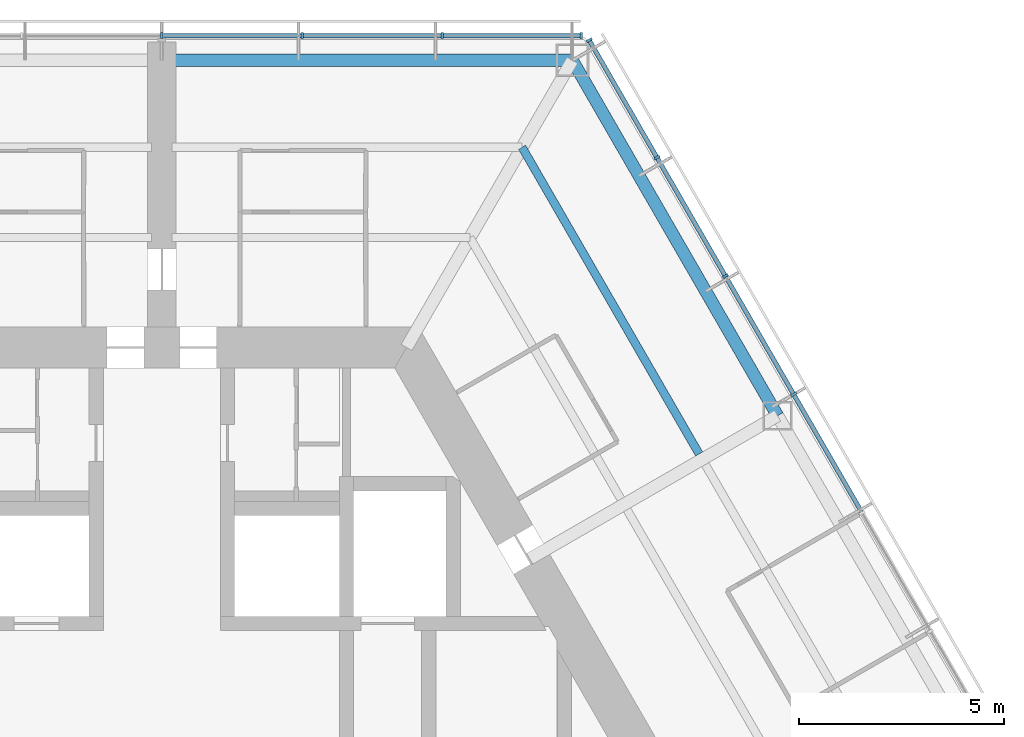
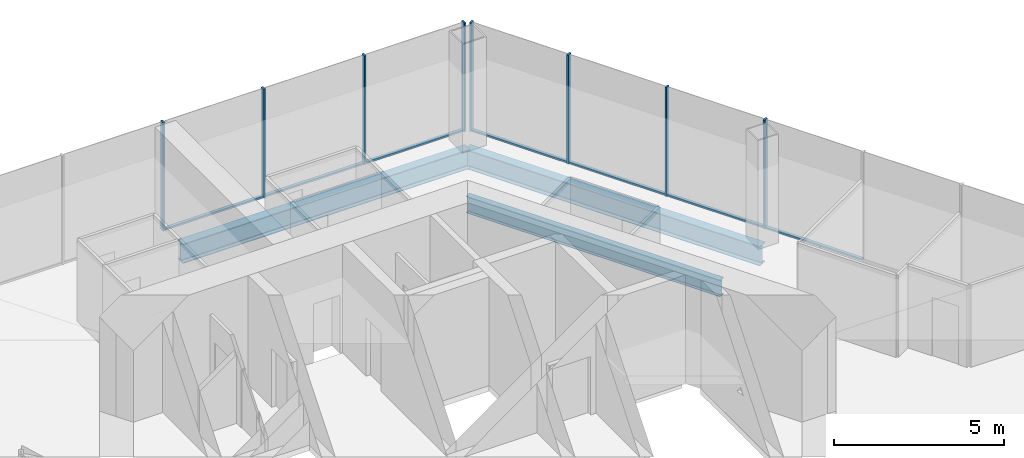
# One storey, part 8 of 18: 15 members, 3 beams, 2 elements without a shape of their own.
"""IFC4 building model written with IfcOpenShell, lengths in metres."""

from ifc_helpers import new_model, si_unit, direction, frame, origin, origin_2d, place, context, subcontext, project, spatial, rectangle, i_section, extrude, material, material_profile, profile_set, type_object, element, aggregate, save


model = new_model("IFC4")

# Units and contexts
model_context = context("Model", 3, precision=1e-05, world=origin(), true_north=direction((0.0, 1.0)))
body_context = subcontext(model_context, "Body", "Model", "MODEL_VIEW")
ifc_project = project(units=[si_unit("LENGTHUNIT", "METRE"), si_unit("AREAUNIT", "SQUARE_METRE"), si_unit("VOLUMEUNIT", "CUBIC_METRE"), si_unit("PLANEANGLEUNIT", "RADIAN"), si_unit("MASSUNIT", "GRAM", prefix="KILO")], contexts=[model_context])

# Site, building, storey
site_placement = place(None, origin())
site = spatial("IfcSite", under=ifc_project, at=site_placement, CompositionType="ELEMENT")
building_placement = place(site_placement, origin())
building = spatial("IfcBuilding", under=site, at=building_placement, Name="Kasaneha Research Tower", CompositionType="ELEMENT")
storey_placement = place(building_placement, frame((0.0, 0.0, 191.60009765625)))
storey = spatial("IfcBuildingStorey", under=building, at=storey_placement, Name="L48", CompositionType="ELEMENT", Elevation=191.60009765625)

# Beam
ifc_material_1 = material(Name="Steel SN490B", Category="steel")
ifc_material_profile_1 = material_profile(ifc_material_1, i_section(OverallWidth=0.199951171875, OverallDepth=0.60009765625, WebThickness=0.010986328125, FlangeThickness=0.01708984375, FilletRadius=0.012939453125, at=origin_2d()), Name="H-600x200x11x17")
ifc_profile_set_1 = profile_set([ifc_material_profile_1], Name="Steel SN490B")
beam_type_1 = type_object("IfcBeamType", Name="B1-3 secondary beam H-600x200x11x17", PredefinedType="JOIST", material=ifc_profile_set_1)
beam_1_placement = place(storey_placement, frame((8.775634765625, 15.199951171875, -0.4501953125), z_axis=(0.500017275495, -0.866015429543, 0.0), x_axis=(0.866015429543, 0.500017275495, 0.0)))
element("IfcBeam", 1, at=beam_1_placement, inside=storey, type_object=beam_type_1, Name="Secondary beam RS030R2 L48", PredefinedType="JOIST", context=body_context, shape_type="SweptSolid", body=[
    extrude(i_section(OverallWidth=0.199951171875, OverallDepth=0.60009765625, WebThickness=0.010986328125, FlangeThickness=0.01708984375, FilletRadius=0.012939453125, at=origin_2d()), origin(), (0.0, 0.0, 1.0), 8.625732421875),
])

# Curtain wall, members
ifc_material_2 = material(Name="Glass and aluminium", Category="aluminium")
curtain_wall_type = type_object("IfcCurtainWallType", Name="Mid-rise office curtain wall", PredefinedType="USERDEFINED", material=ifc_material_2)
curtain_wall_1_placement = place(storey_placement, origin())
curtain_wall_1 = element("IfcCurtainWall", 2, at=curtain_wall_1_placement, inside=storey, type_object=curtain_wall_type, Name="CW-O2 L48 run 06a", ObjectType="UNITISED CURTAIN WALL", PredefinedType="USERDEFINED")
ifc_material_3 = material(Name="Aluminium 6063-T6", Category="aluminium")
ifc_material_profile_2 = material_profile(ifc_material_3, rectangle(XDim=0.06005859375, YDim=0.14990234375, at=origin_2d()), Name="CW-O2 mullion 60x150")
ifc_profile_set_2 = profile_set([ifc_material_profile_2], Name="Aluminium 6063-T6")
member_type_1 = type_object("IfcMemberType", Name="CW-O2 mullion", PredefinedType="MULLION", material=ifc_profile_set_2)
member_1_placement = place(storey_placement, frame((15.392822265625, 9.179931640625, 0.0), z_axis=(0.0, 0.0, 1.0), x_axis=(-0.499999979232, 0.866025415775, 0.0)))
member_1 = element("IfcMember", 3, at=member_1_placement, type_object=member_type_1, Name="CW-O2 mullion 4", PredefinedType="MULLION", context=body_context, shape_type="SweptSolid", body=[
    extrude(rectangle(XDim=0.06005859375, YDim=0.14990234375, at=origin_2d()), origin(), (0.0, 0.0, 1.0), 3.89990234375),
])
member_2_placement = place(storey_placement, frame((13.727294921875, 12.064453125, 0.0), z_axis=(0.0, 0.0, 1.0), x_axis=(-0.499999979232, 0.866025415775, 0.0)))
member_2 = element("IfcMember", 4, at=member_2_placement, type_object=member_type_1, Name="CW-O2 mullion 5", PredefinedType="MULLION", context=body_context, shape_type="SweptSolid", body=[
    extrude(rectangle(XDim=0.06005859375, YDim=0.14990234375, at=origin_2d()), origin(), (0.0, 0.0, 1.0), 3.89990234375),
])
member_3_placement = place(storey_placement, frame((12.061767578125, 14.94921875, 0.0), z_axis=(0.0, 0.0, 1.0), x_axis=(-0.499999979232, 0.866025415775, 0.0)))
member_3 = element("IfcMember", 5, at=member_3_placement, type_object=member_type_1, Name="CW-O2 mullion 6", PredefinedType="MULLION", context=body_context, shape_type="SweptSolid", body=[
    extrude(rectangle(XDim=0.06005859375, YDim=0.14990234375, at=origin_2d()), origin(), (0.0, 0.0, 1.0), 3.89990234375),
])
member_4_placement = place(storey_placement, frame((10.411376953125, 17.807861328125, 0.0), z_axis=(0.0, 0.0, 1.0), x_axis=(-0.499999979232, 0.866025415775, 0.0)))
member_4 = element("IfcMember", 6, at=member_4_placement, type_object=member_type_1, Name="CW-O2 mullion 7", PredefinedType="MULLION", context=body_context, shape_type="SweptSolid", body=[
    extrude(rectangle(XDim=0.06005859375, YDim=0.14990234375, at=origin_2d()), origin(), (0.0, 0.0, 1.0), 3.89990234375),
])

curtain_wall_2_placement = place(storey_placement, origin())
curtain_wall_2 = element("IfcCurtainWall", 7, at=curtain_wall_2_placement, inside=storey, type_object=curtain_wall_type, Name="CW-O2 L48 run 07a", ObjectType="UNITISED CURTAIN WALL", PredefinedType="USERDEFINED")
member_5_placement = place(storey_placement, frame((10.21630859375, 17.92041015625, 0.0), z_axis=(0.0, 0.0, 1.0), x_axis=(-1.0, 0.0, 0.0)))
member_5 = element("IfcMember", 8, at=member_5_placement, type_object=member_type_1, Name="CW-O2 mullion 1", PredefinedType="MULLION", context=body_context, shape_type="SweptSolid", body=[
    extrude(rectangle(XDim=0.06005859375, YDim=0.14990234375, at=origin_2d()), origin(), (0.0, 0.0, 1.0), 3.89990234375),
])
member_6_placement = place(storey_placement, frame((6.8310546875, 17.92041015625, 0.0), z_axis=(0.0, 0.0, 1.0), x_axis=(-1.0, 0.0, 0.0)))
member_6 = element("IfcMember", 9, at=member_6_placement, type_object=member_type_1, Name="CW-O2 mullion 2", PredefinedType="MULLION", context=body_context, shape_type="SweptSolid", body=[
    extrude(rectangle(XDim=0.06005859375, YDim=0.14990234375, at=origin_2d()), origin(), (0.0, 0.0, 1.0), 3.89990234375),
])
member_7_placement = place(storey_placement, frame((3.41552734375, 17.92041015625, 0.0), z_axis=(0.0, 0.0, 1.0), x_axis=(-1.0, 0.0, 0.0)))
member_7 = element("IfcMember", 10, at=member_7_placement, type_object=member_type_1, Name="CW-O2 mullion 3", PredefinedType="MULLION", context=body_context, shape_type="SweptSolid", body=[
    extrude(rectangle(XDim=0.06005859375, YDim=0.14990234375, at=origin_2d()), origin(), (0.0, 0.0, 1.0), 3.89990234375),
])
member_8_placement = place(storey_placement, frame((0.0, 17.92041015625, 0.0), z_axis=(0.0, 0.0, 1.0), x_axis=(-1.0, 0.0, 0.0)))
member_8 = element("IfcMember", 11, at=member_8_placement, type_object=member_type_1, Name="CW-O2 mullion 4", PredefinedType="MULLION", context=body_context, shape_type="SweptSolid", body=[
    extrude(rectangle(XDim=0.06005859375, YDim=0.14990234375, at=origin_2d()), origin(), (0.0, 0.0, 1.0), 3.89990234375),
])

# Member
ifc_material_4 = material(Name="Aluminium 6063-T6", Category="aluminium")
ifc_material_profile_3 = material_profile(ifc_material_4, rectangle(XDim=0.110107421875, YDim=0.06005859375, at=origin_2d()), Name="CW-O2 transom 110x60")
ifc_profile_set_3 = profile_set([ifc_material_profile_3], Name="Aluminium 6063-T6")
member_type_2 = type_object("IfcMemberType", Name="CW-O2 transom", PredefinedType="USERDEFINED", material=ifc_profile_set_3)
member_9_placement = place(storey_placement, frame((17.043212890625, 6.3212890625, 0.02978515625), z_axis=(-0.50003259116, 0.866006586452, 0.0), x_axis=(-0.866006586452, -0.50003259116, 0.0)))
member_9 = element("IfcMember", 12, at=member_9_placement, type_object=member_type_2, Name="CW-O2 transom 3", ObjectType="TRANSOM", PredefinedType="USERDEFINED", context=body_context, shape_type="SweptSolid", body=[
    extrude(rectangle(XDim=0.110107421875, YDim=0.06005859375, at=origin_2d()), origin(), (0.0, 0.0, 1.0), 3.270751953125),
])

member_10_placement = place(storey_placement, frame((15.3779296875, 9.205810546875, 0.02978515625), z_axis=(-0.500000270186, 0.866025247793, 0.0), x_axis=(-0.866025247793, -0.500000270186, 0.0)))
member_10 = element("IfcMember", 13, at=member_10_placement, type_object=member_type_2, Name="CW-O2 transom 4", ObjectType="TRANSOM", PredefinedType="USERDEFINED", context=body_context, shape_type="SweptSolid", body=[
    extrude(rectangle(XDim=0.110107421875, YDim=0.06005859375, at=origin_2d()), origin(), (0.0, 0.0, 1.0), 3.27099609375),
])

member_11_placement = place(storey_placement, frame((13.71240234375, 12.090576171875, 0.02978515625), z_axis=(-0.500000270186, 0.866025247793, 0.0), x_axis=(-0.866025247793, -0.500000270186, 0.0)))
member_11 = element("IfcMember", 14, at=member_11_placement, type_object=member_type_2, Name="CW-O2 transom 5", ObjectType="TRANSOM", PredefinedType="USERDEFINED", context=body_context, shape_type="SweptSolid", body=[
    extrude(rectangle(XDim=0.110107421875, YDim=0.06005859375, at=origin_2d()), origin(), (0.0, 0.0, 1.0), 3.27099609375),
])

member_12_placement = place(storey_placement, frame((12.046875, 14.97509765625, 0.02978515625), z_axis=(-0.499955025697, 0.866051368154, 0.0), x_axis=(-0.866051368154, -0.499955025697, 0.0)))
member_12 = element("IfcMember", 15, at=member_12_placement, type_object=member_type_2, Name="CW-O2 transom 6", ObjectType="TRANSOM", PredefinedType="USERDEFINED", context=body_context, shape_type="SweptSolid", body=[
    extrude(rectangle(XDim=0.110107421875, YDim=0.06005859375, at=origin_2d()), origin(), (0.0, 0.0, 1.0), 3.240966796875),
])

aggregate(curtain_wall_1, [member_1, member_2, member_3, member_4, member_9, member_10, member_11, member_12])

member_13_placement = place(storey_placement, frame((10.1865234375, 17.92041015625, 0.02978515625), z_axis=(-1.0, 0.0, 0.0), x_axis=(0.0, -1.0, 0.0)))
member_13 = element("IfcMember", 16, at=member_13_placement, type_object=member_type_2, Name="CW-O2 transom 1", ObjectType="TRANSOM", PredefinedType="USERDEFINED", context=body_context, shape_type="SweptSolid", body=[
    extrude(rectangle(XDim=0.110107421875, YDim=0.06005859375, at=origin_2d()), origin(), (0.0, 0.0, 1.0), 3.32568359375),
])

member_14_placement = place(storey_placement, frame((6.801025390625, 17.92041015625, 0.02978515625), z_axis=(-1.0, 0.0, 0.0), x_axis=(0.0, -1.0, 0.0)))
member_14 = element("IfcMember", 17, at=member_14_placement, type_object=member_type_2, Name="CW-O2 transom 2", ObjectType="TRANSOM", PredefinedType="USERDEFINED", context=body_context, shape_type="SweptSolid", body=[
    extrude(rectangle(XDim=0.110107421875, YDim=0.06005859375, at=origin_2d()), origin(), (0.0, 0.0, 1.0), 3.35546875),
])

member_15_placement = place(storey_placement, frame((3.385498046875, 17.92041015625, 0.02978515625), z_axis=(-1.0, 0.0, 0.0), x_axis=(0.0, -1.0, 0.0)))
member_15 = element("IfcMember", 18, at=member_15_placement, type_object=member_type_2, Name="CW-O2 transom 3", ObjectType="TRANSOM", PredefinedType="USERDEFINED", context=body_context, shape_type="SweptSolid", body=[
    extrude(rectangle(XDim=0.110107421875, YDim=0.06005859375, at=origin_2d()), origin(), (0.0, 0.0, 1.0), 3.35546875),
])

aggregate(curtain_wall_2, [member_5, member_6, member_7, member_8, member_13, member_14, member_15])

# Beams
ifc_material_5 = material(Name="Steel SN490B", Category="steel")
ifc_material_profile_4 = material_profile(ifc_material_5, i_section(OverallWidth=0.300048828125, OverallDepth=0.69189453125, WebThickness=0.012939453125, FlangeThickness=0.02001953125, FilletRadius=0.01806640625, at=origin_2d()), Name="H-692x300x13x20")
ifc_profile_set_4 = profile_set([ifc_material_profile_4], Name="Steel SN490B")
beam_type_2 = type_object("IfcBeamType", Name="G3-3 plate edge girder H-692x300x13x20", PredefinedType="BEAM", material=ifc_profile_set_4)
beam_2_placement = place(storey_placement, frame((10.0, 17.320556640625, -0.49609375), z_axis=(-1.0, 0.0, 0.0), x_axis=(0.0, -1.0, 0.0)))
element("IfcBeam", 19, at=beam_2_placement, inside=storey, type_object=beam_type_2, Name="Plate edge girder PEAP L48", PredefinedType="BEAM", context=body_context, shape_type="SweptSolid", body=[
    extrude(i_section(OverallWidth=0.300048828125, OverallDepth=0.69189453125, WebThickness=0.012939453125, FlangeThickness=0.02001953125, FilletRadius=0.01806640625, at=origin_2d()), origin(), (0.0, 0.0, 1.0), 9.75),
])
ifc_material_6 = material(Name="Steel SN490B", Category="steel")
ifc_material_profile_5 = material_profile(ifc_material_6, i_section(OverallWidth=0.300048828125, OverallDepth=0.69189453125, WebThickness=0.012939453125, FlangeThickness=0.02001953125, FilletRadius=0.01806640625, at=origin_2d()), Name="H-692x300x13x20")
ifc_profile_set_5 = profile_set([ifc_material_profile_5], Name="Steel SN490B")
beam_type_3 = type_object("IfcBeamType", Name="SB1-3 spandrel beam H-692x300x13x20", PredefinedType="SPANDREL", material=ifc_profile_set_5)
beam_3_placement = place(storey_placement, frame((10.0, 17.320556640625, -0.49609375), z_axis=(0.499993662806, -0.866029062534, 0.0), x_axis=(0.866029062534, 0.499993662806, 0.0)))
element("IfcBeam", 20, at=beam_3_placement, inside=storey, type_object=beam_type_3, Name="Spandrel beam SR030R L48", PredefinedType="SPANDREL", context=body_context, shape_type="SweptSolid", body=[
    extrude(i_section(OverallWidth=0.300048828125, OverallDepth=0.69189453125, WebThickness=0.012939453125, FlangeThickness=0.02001953125, FilletRadius=0.01806640625, at=origin_2d()), origin(), (0.0, 0.0, 1.0), 10.000244140625),
])

save(model, "model.ifc")
